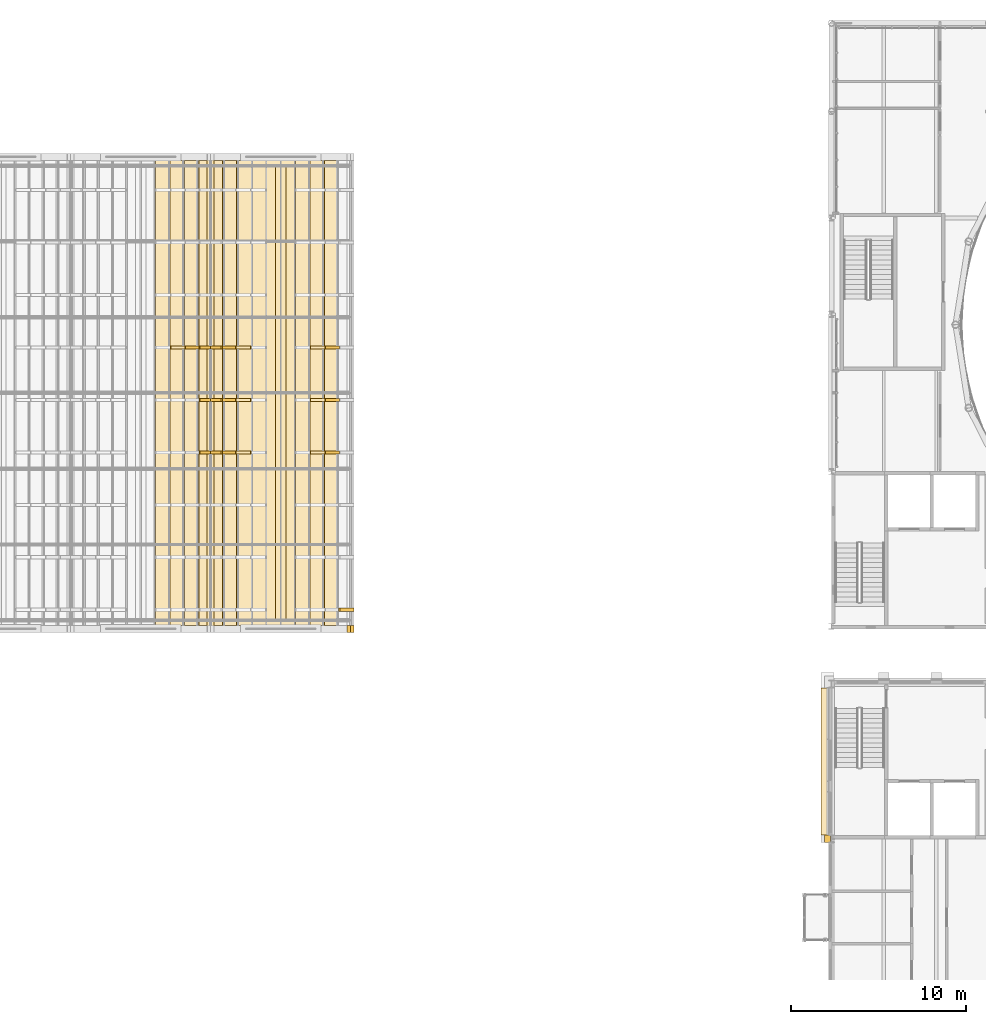
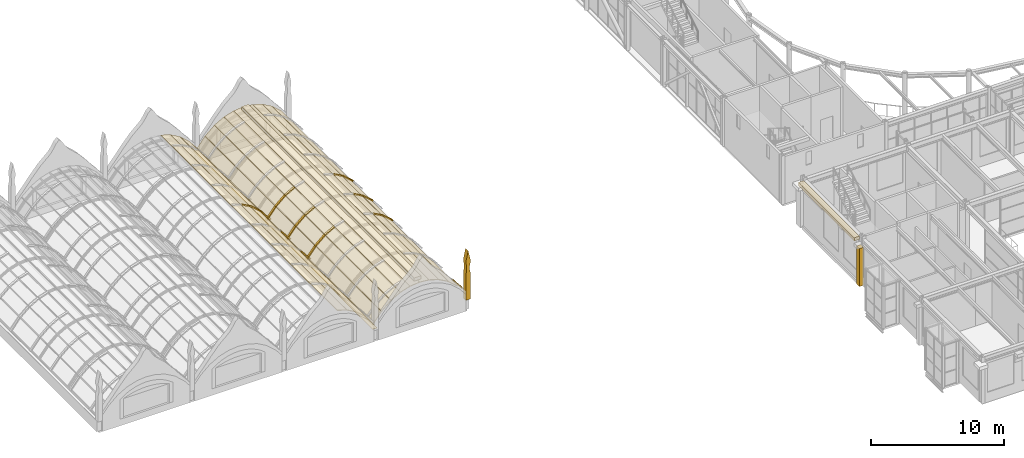
# One storey, part 96 of 111: 39 coverings.
"""IFC4 building model written with IfcOpenShell, lengths in metres."""

from ifc_helpers import new_model, si_unit, direction, frame, origin, origin_2d, place, context, subcontext, project, spatial, polyline, rectangle, outline, extrude, material, layer, layer_set, type_object, element, save


model = new_model("IFC4")

# Units and contexts
model_context = context("Model", 3, precision=1e-05, world=origin(), true_north=direction((0.0, 1.0)))
body_context = subcontext(model_context, "Body", "Model", "MODEL_VIEW")
ifc_project = project(units=[si_unit("LENGTHUNIT", "METRE"), si_unit("AREAUNIT", "SQUARE_METRE"), si_unit("VOLUMEUNIT", "CUBIC_METRE"), si_unit("PLANEANGLEUNIT", "RADIAN"), si_unit("MASSUNIT", "GRAM", prefix="KILO")], contexts=[model_context])

# Site, building, storey
site_placement = place(None, origin())
site = spatial("IfcSite", under=ifc_project, at=site_placement, CompositionType="ELEMENT")
building_placement = place(site_placement, origin())
building = spatial("IfcBuilding", under=site, at=building_placement, Name="Kallimachos Central Library", CompositionType="ELEMENT")
storey_placement = place(building_placement, frame((0.0, 0.0, 14.39990234375)))
storey = spatial("IfcBuildingStorey", under=building, at=storey_placement, Name="L03", CompositionType="ELEMENT", Elevation=14.39990234375)

# Coverings
ifc_material_1 = material(Name="Glazed ceramic ridge tile")
ifc_layer_1 = layer(ifc_material_1, 0.300048828125)
ifc_layer_set_1 = layer_set([ifc_layer_1], Name="Ceramic ridge tile 600")
covering_type_1 = type_object("IfcCoveringType", Name="Ceramic ridge tile 600", PredefinedType="MOLDING", material=ifc_layer_set_1)
covering_1_placement = place(storey_placement, frame((34.0, 100.5, 3.77685546875), z_axis=(0.0, 0.0, 1.0), x_axis=(1.0, 0.0, 0.0)))
element("IfcCovering", 1, at=covering_1_placement, inside=storey, type_object=covering_type_1, Name="Barrel roof 4 ridge tile", PredefinedType="MOLDING", context=body_context, shape_type="SweptSolid", body=[
    extrude(rectangle(XDim=0.60009765625, YDim=26.0, at=origin_2d()), origin(), (0.0, 0.0, 1.0), 0.300048828125),
])
ifc_material_2 = material(Name="Glazed ceramic roll tile")
ifc_layer_2 = layer(ifc_material_2, 0.10009765625)
ifc_layer_set_2 = layer_set([ifc_layer_2], Name="Ceramic roll tile rib 180")
covering_type_2 = type_object("IfcCoveringType", Name="Ceramic roll tile rib 180", PredefinedType="ROOFING", material=ifc_layer_set_2)
covering_2_placement = place(storey_placement, frame((27.724853515625, 103.010009765625, 3.52001953125), z_axis=(0.4891643141, 0.0, 0.872191649703), x_axis=(0.872191649703, 0.0, -0.4891643141)))
element("IfcCovering", 2, at=covering_2_placement, inside=storey, type_object=covering_type_2, Name="Barrel roof 3 roll tile rib", PredefinedType="ROOFING", context=body_context, shape_type="SweptSolid", body=[
    extrude(outline(polyline([(0.0, 0.0), (0.9407985514475578, 0.0), (0.9407985514475578, 0.179931640625), (0.0, 0.179931640625), (0.0, 0.0)])), origin(), (0.0, 0.0, -1.0), 0.10009765625),
])
covering_3_placement = place(storey_placement, frame((28.572998046875, 103.010009765625, 3.0400390625), z_axis=(0.662753768907, 0.0, 0.74883739343), x_axis=(0.74883739343, 0.0, -0.662753768907)))
element("IfcCovering", 3, at=covering_3_placement, inside=storey, type_object=covering_type_2, Name="Barrel roof 3 roll tile rib", PredefinedType="ROOFING", context=body_context, shape_type="SweptSolid", body=[
    extrude(outline(polyline([(0.0, 0.0), (1.0833851300597055, 0.0), (1.0833851300597055, 0.17993164062500003), (0.0, 0.17993164062500003), (0.0, 0.0)])), origin(), (0.0, 0.0, -1.0), 0.10009765625),
])
for number, where, z_axis, x_axis, name in (
    (4, (29.4033203125, 97.010009765625, 2.30224609375), (0.780793550648, 0.0, 0.624789109434), (0.624789109434, 0.0, -0.780793550648), "Barrel roof 3 roll tile rib"),
    (5, (29.4033203125, 100.010009765625, 2.30224609375), (0.780793550648, 0.0, 0.624789109434), (0.624789109434, 0.0, -0.780793550648), "Barrel roof 3 roll tile rib"),
    (6, (29.4033203125, 103.010009765625, 2.30224609375), (0.780793550648, 0.0, 0.624789109434), (0.624789109434, 0.0, -0.780793550648), "Barrel roof 3 roll tile rib"),
    (7, (29.8056640625, 97.010009765625, 1.313720703125), (-0.780793550648, 0.0, 0.624789109434), (0.624789109434, 0.0, 0.780793550648), "Barrel roof 4 roll tile rib"),
    (8, (29.8056640625, 100.010009765625, 1.313720703125), (-0.780793550648, 0.0, 0.624789109434), (0.624789109434, 0.0, 0.780793550648), "Barrel roof 4 roll tile rib"),
    (9, (29.8056640625, 103.010009765625, 1.313720703125), (-0.780793550648, 0.0, 0.624789109434), (0.624789109434, 0.0, 0.780793550648), "Barrel roof 4 roll tile rib"),
):
    element("IfcCovering", number, at=place(storey_placement, frame(where, z_axis=z_axis, x_axis=x_axis)), inside=storey, type_object=covering_type_2, Name=name, PredefinedType="ROOFING", context=body_context, shape_type="SweptSolid", body=[
        extrude(outline(polyline([(0.0, 0.0), (1.266052197543391, 0.0), (1.266052197543391, 0.179931640625), (0.0, 0.179931640625), (0.0, 0.0)])), origin(), (0.0, 0.0, -1.0), 0.10009765625),
    ])
for number, where, z_axis, x_axis, name in (
    (10, (30.61572265625, 97.010009765625, 2.322021484375), (-0.662753768907, 0.0, 0.74883739343), (0.74883739343, 0.0, 0.662753768907), "Barrel roof 4 roll tile rib"),
    (11, (30.61572265625, 100.010009765625, 2.322021484375), (-0.662753768907, 0.0, 0.74883739343), (0.74883739343, 0.0, 0.662753768907), "Barrel roof 4 roll tile rib"),
    (12, (30.61572265625, 103.010009765625, 2.322021484375), (-0.662753768907, 0.0, 0.74883739343), (0.74883739343, 0.0, 0.662753768907), "Barrel roof 4 roll tile rib"),
):
    element("IfcCovering", number, at=place(storey_placement, frame(where, z_axis=z_axis, x_axis=x_axis)), inside=storey, type_object=covering_type_2, Name=name, PredefinedType="ROOFING", context=body_context, shape_type="SweptSolid", body=[
        extrude(outline(polyline([(0.0, 0.0), (1.0833851300597055, 0.0), (1.0833851300597055, 0.17993164062500003), (0.0, 0.17993164062500003), (0.0, 0.0)])), origin(), (0.0, 0.0, -1.0), 0.10009765625),
    ])
for number, where, z_axis, x_axis, name in (
    (13, (31.45458984375, 97.010009765625, 3.059814453125), (-0.4891643141, 0.0, 0.872191649703), (0.872191649703, 0.0, 0.4891643141), "Barrel roof 4 roll tile rib"),
    (14, (31.45458984375, 100.010009765625, 3.059814453125), (-0.4891643141, 0.0, 0.872191649703), (0.872191649703, 0.0, 0.4891643141), "Barrel roof 4 roll tile rib"),
    (15, (31.45458984375, 103.010009765625, 3.059814453125), (-0.4891643141, 0.0, 0.872191649703), (0.872191649703, 0.0, 0.4891643141), "Barrel roof 4 roll tile rib"),
    (16, (35.724853515625, 97.010009765625, 3.52001953125), (0.4891643141, 0.0, 0.872191649703), (0.872191649703, 0.0, -0.4891643141), "Barrel roof 4 roll tile rib"),
    (17, (35.724853515625, 100.010009765625, 3.52001953125), (0.4891643141, 0.0, 0.872191649703), (0.872191649703, 0.0, -0.4891643141), "Barrel roof 4 roll tile rib"),
    (18, (35.724853515625, 103.010009765625, 3.52001953125), (0.4891643141, 0.0, 0.872191649703), (0.872191649703, 0.0, -0.4891643141), "Barrel roof 4 roll tile rib"),
):
    element("IfcCovering", number, at=place(storey_placement, frame(where, z_axis=z_axis, x_axis=x_axis)), inside=storey, type_object=covering_type_2, Name=name, PredefinedType="ROOFING", context=body_context, shape_type="SweptSolid", body=[
        extrude(outline(polyline([(0.0, 0.0), (0.9407985514475578, 0.0), (0.9407985514475578, 0.179931640625), (0.0, 0.179931640625), (0.0, 0.0)])), origin(), (0.0, 0.0, -1.0), 0.10009765625),
    ])
for number, where, z_axis, x_axis, name in (
    (19, (36.572998046875, 97.010009765625, 3.0400390625), (0.662753768907, 0.0, 0.74883739343), (0.74883739343, 0.0, -0.662753768907), "Barrel roof 4 roll tile rib"),
    (20, (36.572998046875, 100.010009765625, 3.0400390625), (0.662753768907, 0.0, 0.74883739343), (0.74883739343, 0.0, -0.662753768907), "Barrel roof 4 roll tile rib"),
    (21, (36.572998046875, 103.010009765625, 3.0400390625), (0.662753768907, 0.0, 0.74883739343), (0.74883739343, 0.0, -0.662753768907), "Barrel roof 4 roll tile rib"),
):
    element("IfcCovering", number, at=place(storey_placement, frame(where, z_axis=z_axis, x_axis=x_axis)), inside=storey, type_object=covering_type_2, Name=name, PredefinedType="ROOFING", context=body_context, shape_type="SweptSolid", body=[
        extrude(outline(polyline([(0.0, 0.0), (1.0833851300597055, 0.0), (1.0833851300597055, 0.17993164062500003), (0.0, 0.17993164062500003), (0.0, 0.0)])), origin(), (0.0, 0.0, -1.0), 0.10009765625),
    ])
covering_4_placement = place(storey_placement, frame((37.4033203125, 88.010009765625, 2.30224609375), z_axis=(0.780793550648, 0.0, 0.624789109434), x_axis=(0.624789109434, 0.0, -0.780793550648)))
element("IfcCovering", 22, at=covering_4_placement, inside=storey, type_object=covering_type_2, Name="Barrel roof 4 roll tile rib", PredefinedType="ROOFING", context=body_context, shape_type="SweptSolid", body=[
    extrude(outline(polyline([(0.0, 0.0), (1.266052197543391, 0.0), (1.266052197543391, 0.179931640625), (0.0, 0.179931640625), (0.0, 0.0)])), origin(), (0.0, 0.0, -1.0), 0.10009765625),
])
ifc_material_3 = material(Name="Pentelic marble cornice", Category="masonry")
ifc_layer_3 = layer(ifc_material_3, 0.449951171875)
ifc_layer_set_3 = layer_set([ifc_layer_3], Name="Stone cornice 450")
covering_type_3 = type_object("IfcCoveringType", Name="Stone cornice 450", PredefinedType="MOLDING", material=ifc_layer_set_3)
covering_5_placement = place(storey_placement, frame((65.12158203125, 79.425048828125, 4.0), z_axis=(0.0, 0.0, 1.0), x_axis=(1.0, 0.0, 0.0)))
element("IfcCovering", 23, at=covering_5_placement, inside=storey, type_object=covering_type_3, Name="Stone cornice 450 -L03-022", PredefinedType="MOLDING", context=body_context, shape_type="SweptSolid", body=[
    extrude(rectangle(XDim=0.449951171875, YDim=8.41796875, at=origin_2d()), origin(), (0.0, 0.0, 1.0), 0.300048828125),
])
ifc_material_4 = material(Name="Pentelic marble pilaster", Category="masonry")
ifc_layer_4 = layer(ifc_material_4, 0.25)
ifc_layer_set_4 = layer_set([ifc_layer_4], Name="Stone pilaster 250")
covering_type_4 = type_object("IfcCoveringType", Name="Stone pilaster 250", PredefinedType="CLADDING", material=ifc_layer_set_4)
covering_6_placement = place(storey_placement, frame((65.2705078125, 75.0, 0.0), z_axis=(0.0, 0.0, 1.0), x_axis=(1.0, 0.0, 0.0)))
element("IfcCovering", 24, at=covering_6_placement, inside=storey, type_object=covering_type_4, Name="Stone pilaster 250 -L03-021", PredefinedType="CLADDING", context=body_context, shape_type="SweptSolid", body=[
    extrude(rectangle(XDim=0.35009765625, YDim=0.431884765625, at=origin_2d()), origin(), (0.0, 0.0, 1.0), 3.5),
])
ifc_material_5 = material(Name="Pentelic marble pinnacle", Category="masonry")
ifc_layer_5 = layer(ifc_material_5, 0.39990234375)
ifc_layer_set_5 = layer_set([ifc_layer_5], Name="Stone pinnacle 400")
covering_type_5 = type_object("IfcCoveringType", Name="Stone pinnacle 400", PredefinedType="MOLDING", material=ifc_layer_set_5)
covering_7_placement = place(storey_placement, frame((38.0, 86.800048828125, 1.0), z_axis=(0.0, -1.0, 0.0), x_axis=(1.0, 0.0, 0.0)))
element("IfcCovering", 25, at=covering_7_placement, inside=storey, type_object=covering_type_5, Name="Pinnacle line 5 south", PredefinedType="MOLDING", context=body_context, shape_type="SweptSolid", body=[
    extrude(outline(polyline([(0.0, 0.0), (0.199951171875, 0.0), (0.199951171875, 2.400146484375), (0.1298828125, 2.7001953125), (0.1298828125, 3.10009765625), (0.18994140625, 3.35009765625), (0.18994140625, 3.60009765625), (0.0, 4.5), (-0.18994140625, 3.60009765625), (-0.18994140625, 3.35009765625), (-0.1298828125, 3.10009765625), (-0.1298828125, 2.7001953125), (-0.199951171875, 2.400146484375), (-0.199951171875, 0.0), (0.0, 0.0)])), origin(), (0.0, 0.0, -1.0), 0.39990234375),
])
ifc_material_6 = material(Name="Lead-coated copper sheet")
ifc_layer_6 = layer(ifc_material_6, 0.02001953125)
ifc_layer_set_6 = layer_set([ifc_layer_6], Name="Valley gutter lining")
covering_type_6 = type_object("IfcCoveringType", Name="Valley gutter lining", PredefinedType="MEMBRANE", material=ifc_layer_set_6)
covering_8_placement = place(storey_placement, frame((30.0, 100.5, 1.0), z_axis=(0.0, 0.0, 1.0), x_axis=(1.0, 0.0, 0.0)))
element("IfcCovering", 26, at=covering_8_placement, inside=storey, type_object=covering_type_6, Name="Gutter lining line 4", PredefinedType="MEMBRANE", context=body_context, shape_type="SweptSolid", body=[
    extrude(rectangle(XDim=0.39990234375, YDim=27.0, at=origin_2d()), origin(), (0.0, 0.0, 1.0), 0.02001953125),
])
ifc_material_7 = material(Name="Vitreous ceramic tile")
ifc_layer_7 = layer(ifc_material_7, 0.06005859375)
ifc_layer_set_7 = layer_set([ifc_layer_7], Name="Vitreous ceramic tile roofing")
covering_type_7 = type_object("IfcCoveringType", Name="Vitreous ceramic tile roofing", PredefinedType="ROOFING", material=ifc_layer_set_7)
covering_9_placement = place(storey_placement, frame((26.841064453125, 87.199951171875, 3.69287109375), z_axis=(0.296016071282, 0.0, 0.955182959198), x_axis=(0.955182959198, 0.0, -0.296016071282)))
element("IfcCovering", 27, at=covering_9_placement, inside=storey, type_object=covering_type_7, Name="Barrel roof 3 tile panel 7", PredefinedType="ROOFING", context=body_context, shape_type="SweptSolid", body=[
    extrude(outline(polyline([(0.0, 0.0), (0.8618685871353191, 0.0), (0.8618685871353191, 26.600097656250007), (0.0, 26.600097656250007), (0.0, 0.0)])), origin(), (0.0, 0.0, -1.0), 0.06005859375),
])
covering_10_placement = place(storey_placement, frame((27.67578125, 87.199951171875, 3.432861328125), z_axis=(0.489361685655, 0.0, 0.872080925496), x_axis=(0.872080925496, 0.0, -0.489361685655)))
element("IfcCovering", 28, at=covering_10_placement, inside=storey, type_object=covering_type_7, Name="Barrel roof 3 tile panel 8", PredefinedType="ROOFING", context=body_context, shape_type="SweptSolid", body=[
    extrude(outline(polyline([(0.0, 0.0), (0.9409180004236665, 0.0), (0.9409180004236665, 26.60009765625), (0.0, 26.60009765625), (0.0, 0.0)])), origin(), (0.0, 0.0, -1.0), 0.06005859375),
])
covering_11_placement = place(storey_placement, frame((28.5068359375, 87.199951171875, 2.965087890625), z_axis=(0.662627374015, 0.0, 0.748949239405), x_axis=(0.748949239405, 0.0, -0.662627374015)))
element("IfcCovering", 29, at=covering_11_placement, inside=storey, type_object=covering_type_7, Name="Barrel roof 3 tile panel 9", PredefinedType="ROOFING", context=body_context, shape_type="SweptSolid", body=[
    extrude(outline(polyline([(0.0, 0.0), (1.0832233403682552, 0.0), (1.0832233403682552, 26.60009765625), (0.0, 26.60009765625), (0.0, 0.0)])), origin(), (0.0, 0.0, -1.0), 0.06005859375),
])
for number, where, z_axis, x_axis, name in (
    (30, (29.3251953125, 87.199951171875, 2.23974609375), (0.780793550648, 0.0, 0.624789109434), (0.624789109434, 0.0, -0.780793550648), "Barrel roof 3 tile panel 10"),
    (31, (29.8837890625, 87.199951171875, 1.251220703125), (-0.780793550648, 0.0, 0.624789109434), (0.624789109434, 0.0, 0.780793550648), "Barrel roof 4 tile panel 1"),
):
    element("IfcCovering", number, at=place(storey_placement, frame(where, z_axis=z_axis, x_axis=x_axis)), inside=storey, type_object=covering_type_7, Name=name, PredefinedType="ROOFING", context=body_context, shape_type="SweptSolid", body=[
        extrude(outline(polyline([(0.0, 0.0), (1.266052197543391, 0.0), (1.266052197543391, 26.60009765625), (0.0, 26.60009765625), (0.0, 0.0)])), origin(), (0.0, 0.0, -1.0), 0.06005859375),
    ])
covering_12_placement = place(storey_placement, frame((30.681884765625, 87.199951171875, 2.247314453125), z_axis=(-0.662627374015, 0.0, 0.748949239405), x_axis=(0.748949239405, 0.0, 0.662627374015)))
element("IfcCovering", 32, at=covering_12_placement, inside=storey, type_object=covering_type_7, Name="Barrel roof 4 tile panel 2", PredefinedType="ROOFING", context=body_context, shape_type="SweptSolid", body=[
    extrude(outline(polyline([(0.0, 0.0), (1.0832233403682552, 0.0), (1.0832233403682552, 26.60009765625), (0.0, 26.60009765625), (0.0, 0.0)])), origin(), (0.0, 0.0, -1.0), 0.06005859375),
])
covering_13_placement = place(storey_placement, frame((31.503662109375, 87.199951171875, 2.972412109375), z_axis=(-0.489361685655, 0.0, 0.872080925496), x_axis=(0.872080925496, 0.0, 0.489361685655)))
element("IfcCovering", 33, at=covering_13_placement, inside=storey, type_object=covering_type_7, Name="Barrel roof 4 tile panel 3", PredefinedType="ROOFING", context=body_context, shape_type="SweptSolid", body=[
    extrude(outline(polyline([(0.0, 0.0), (0.9409180004236665, 0.0), (0.9409180004236665, 26.60009765625), (0.0, 26.60009765625), (0.0, 0.0)])), origin(), (0.0, 0.0, -1.0), 0.06005859375),
])
covering_14_placement = place(storey_placement, frame((32.335693359375, 87.199951171875, 3.437744140625), z_axis=(-0.296016071282, 0.0, 0.955182959198), x_axis=(0.955182959198, 0.0, 0.296016071282)))
element("IfcCovering", 34, at=covering_14_placement, inside=storey, type_object=covering_type_7, Name="Barrel roof 4 tile panel 4", PredefinedType="ROOFING", context=body_context, shape_type="SweptSolid", body=[
    extrude(outline(polyline([(0.0, 0.0), (0.8618685871353191, 0.0), (0.8618685871353191, 26.600097656250007), (0.0, 26.600097656250007), (0.0, 0.0)])), origin(), (0.0, 0.0, -1.0), 0.06005859375),
])
for number, where, z_axis, x_axis, name in (
    (35, (33.170654296875, 87.199951171875, 3.6953125), (-0.098247538834, 0.0, 0.995162007471), (0.995162007471, 0.0, 0.098247538834), "Barrel roof 4 tile panel 5"),
    (36, (34.005859375, 87.199951171875, 3.776611328125), (0.098247538834, 0.0, 0.995162007471), (0.995162007471, 0.0, -0.098247538834), "Barrel roof 4 tile panel 6"),
):
    element("IfcCovering", number, at=place(storey_placement, frame(where, z_axis=z_axis, x_axis=x_axis)), inside=storey, type_object=covering_type_7, Name=name, PredefinedType="ROOFING", context=body_context, shape_type="SweptSolid", body=[
        extrude(outline(polyline([(0.0, 0.0), (0.8274897171948987, 0.0), (0.8274897171948987, 26.60009765625), (0.0, 26.60009765625), (0.0, 0.0)])), origin(), (0.0, 0.0, -1.0), 0.06005859375),
    ])
covering_15_placement = place(storey_placement, frame((34.841064453125, 87.199951171875, 3.69287109375), z_axis=(0.296016071282, 0.0, 0.955182959198), x_axis=(0.955182959198, 0.0, -0.296016071282)))
element("IfcCovering", 37, at=covering_15_placement, inside=storey, type_object=covering_type_7, Name="Barrel roof 4 tile panel 7", PredefinedType="ROOFING", context=body_context, shape_type="SweptSolid", body=[
    extrude(outline(polyline([(0.0, 0.0), (0.8618685871353191, 0.0), (0.8618685871353191, 26.600097656250007), (0.0, 26.600097656250007), (0.0, 0.0)])), origin(), (0.0, 0.0, -1.0), 0.06005859375),
])
covering_16_placement = place(storey_placement, frame((35.67578125, 87.199951171875, 3.432861328125), z_axis=(0.489361685655, 0.0, 0.872080925496), x_axis=(0.872080925496, 0.0, -0.489361685655)))
element("IfcCovering", 38, at=covering_16_placement, inside=storey, type_object=covering_type_7, Name="Barrel roof 4 tile panel 8", PredefinedType="ROOFING", context=body_context, shape_type="SweptSolid", body=[
    extrude(outline(polyline([(0.0, 0.0), (0.9409180004236665, 0.0), (0.9409180004236665, 26.60009765625), (0.0, 26.60009765625), (0.0, 0.0)])), origin(), (0.0, 0.0, -1.0), 0.06005859375),
])
covering_17_placement = place(storey_placement, frame((36.5068359375, 87.199951171875, 2.965087890625), z_axis=(0.662627374015, 0.0, 0.748949239405), x_axis=(0.748949239405, 0.0, -0.662627374015)))
element("IfcCovering", 39, at=covering_17_placement, inside=storey, type_object=covering_type_7, Name="Barrel roof 4 tile panel 9", PredefinedType="ROOFING", context=body_context, shape_type="SweptSolid", body=[
    extrude(outline(polyline([(0.0, 0.0), (1.0832233403682552, 0.0), (1.0832233403682552, 26.60009765625), (0.0, 26.60009765625), (0.0, 0.0)])), origin(), (0.0, 0.0, -1.0), 0.06005859375),
])

save(model, "model.ifc")
